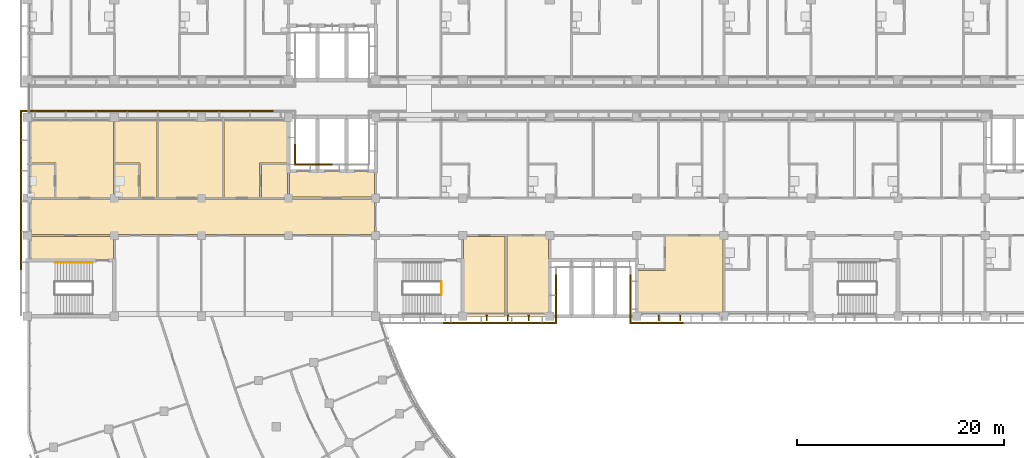
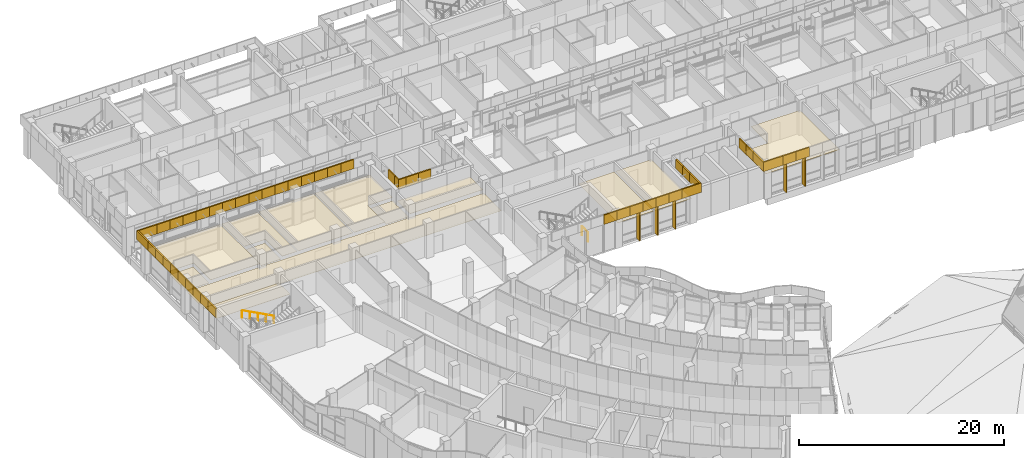
# One storey, part 124 of 137: 60 coverings, 5 shading devices, 2 railings.
"""IFC4 building model written with IfcOpenShell, lengths in metres."""

import ifcopenshell
import ifcopenshell.guid

model = None  # the IFC model being written
_history = None  # IfcOwnerHistory: only IFC2X3 demands one
_inside = {}  # id of a spatial element -> (the spatial element, [elements in it])
_under = {}  # id of a project, library or spatial element -> (it, [spatial elements below it])
_declared = {}  # id of a project -> (the project, [libraries it declares])
_typed = {}  # id of a type object -> (the type object, [elements of that type])
_made_of = {}  # id of a material, layer set ... -> (it, [elements and type objects made of it])


def new_model(schema):
    """Start an empty IFC model of exactly this schema.

    Asked for "IFC4X3", IfcOpenShell would pick the latest addendum, in which some entities
    have other attributes; the version numbers below select the first issue.
    IFC2X3 requires an IfcOwnerHistory on every rooted entity: one is made here for all.
    """
    global model, _history
    if schema == "IFC4X3":
        model = ifcopenshell.file(schema_version=(4, 3, 0, 0))
    else:
        model = ifcopenshell.file(schema=schema)
    _inside.clear()
    _under.clear()
    _declared.clear()
    _typed.clear()
    _made_of.clear()
    _history = None
    if model.schema == "IFC2X3":
        org = make("IfcOrganization", Name="unknown")
        user = make(
            "IfcPersonAndOrganization",
            ThePerson=make("IfcPerson", FamilyName="unknown"),
            TheOrganization=org,
        )
        app = make(
            "IfcApplication",
            ApplicationDeveloper=org,
            Version="unknown",
            ApplicationFullName="unknown",
            ApplicationIdentifier="unknown",
        )
        _history = make(
            "IfcOwnerHistory",
            OwningUser=user,
            OwningApplication=app,
            ChangeAction="ADDED",
            CreationDate=0,
        )
    return model


def make(cls, **values):
    """One entity of the class cls with the attributes given. An attribute that is None is left unset."""
    return model.create_entity(
        cls, **{name: value for name, value in values.items() if value is not None}
    )


def rooted(cls, **values):
    """An entity with a GlobalId (a new one), such as an element, a storey or a relation."""
    return make(cls, GlobalId=ifcopenshell.guid.new(), OwnerHistory=_history, **values)


def si_unit(unit_type, name, prefix=None):
    """IfcSIUnit, for example si_unit("LENGTHUNIT", "METRE", prefix="MILLI")."""
    return make("IfcSIUnit", UnitType=unit_type, Prefix=prefix, Name=name)


def assignment(units):
    """IfcUnitAssignment: the units of a project."""
    return None if units is None else make("IfcUnitAssignment", Units=units)


def point(xyz):
    """IfcCartesianPoint."""
    return None if xyz is None else make("IfcCartesianPoint", Coordinates=xyz)


def direction(xyz):
    """IfcDirection."""
    return None if xyz is None else make("IfcDirection", DirectionRatios=xyz)


def frame(location, z_axis=None, x_axis=None):
    """IfcAxis2Placement3D, a coordinate frame: its origin and axes. An axis left out is left unset."""
    return make(
        "IfcAxis2Placement3D",
        Location=point(location),
        Axis=direction(z_axis),
        RefDirection=direction(x_axis),
    )


def frame_2d(location, x_axis=None):
    """IfcAxis2Placement2D, a coordinate frame in the plane: its origin and x axis."""
    return make(
        "IfcAxis2Placement2D", Location=point(location), RefDirection=direction(x_axis)
    )


def origin():
    """The frame at (0, 0, 0) with its axes left unset."""
    return frame((0.0, 0.0, 0.0))


def origin_2d():
    """The frame at (0, 0) in the plane with its x axis left unset."""
    return frame_2d((0.0, 0.0))


def place(relative_to, where):
    """IfcLocalPlacement: puts the frame where relative to a parent placement (None: the world)."""
    return make(
        "IfcLocalPlacement", PlacementRelTo=relative_to, RelativePlacement=where
    )


def context(
    kind, dimensions, precision=None, world=None, true_north=None, identifier=None
):
    """IfcGeometricRepresentationContext, for example the 3D "Model" context."""
    return make(
        "IfcGeometricRepresentationContext",
        ContextIdentifier=identifier,
        ContextType=kind,
        CoordinateSpaceDimension=dimensions,
        Precision=precision,
        WorldCoordinateSystem=world,
        TrueNorth=true_north,
    )


def subcontext(parent, identifier, kind, view, scale=None):
    """IfcGeometricRepresentationSubContext, for example "Body" below "Model"."""
    return make(
        "IfcGeometricRepresentationSubContext",
        ContextIdentifier=identifier,
        ContextType=kind,
        ParentContext=parent,
        TargetScale=scale,
        TargetView=view,
    )


def project(units=None, contexts=None):
    """IfcProject with its units and contexts."""
    return rooted(
        "IfcProject",
        Name="project",
        RepresentationContexts=contexts,
        UnitsInContext=assignment(units),
    )


def spatial(cls, under=None, at=None, **own):
    """A site, building, storey or space (cls), placed at a placement, below another one or the project."""
    s = rooted(cls, ObjectPlacement=at, **own)
    if under is not None:
        _under.setdefault(under.id(), (under, []))[1].append(s)
    return s


def polyline(points):
    """IfcPolyline through the points."""
    return make("IfcPolyline", Points=[point(p) for p in points])


def profile(cls, at=None, kind="AREA", **sizes):
    """A parametric profile (cls). Its sizes go by their IFC names, for example OverallWidth=200.0."""
    return make(cls, ProfileType=kind, Position=at, **sizes)


def rectangle(**sizes):
    """IfcRectangleProfileDef."""
    return profile("IfcRectangleProfileDef", **sizes)


def circle(**sizes):
    """IfcCircleProfileDef."""
    return profile("IfcCircleProfileDef", **sizes)


def outline(outer, holes=None, kind="AREA"):
    """IfcArbitraryClosedProfileDef: a profile drawn as a closed curve; with holes, ...WithVoids."""
    if holes is None:
        return make("IfcArbitraryClosedProfileDef", ProfileType=kind, OuterCurve=outer)
    return make(
        "IfcArbitraryProfileDefWithVoids",
        ProfileType=kind,
        OuterCurve=outer,
        InnerCurves=holes,
    )


def extrude(swept, where, along, depth):
    """IfcExtrudedAreaSolid: the profile swept, set in the frame where, extruded along a direction by depth."""
    return make(
        "IfcExtrudedAreaSolid",
        SweptArea=swept,
        Position=where,
        ExtrudedDirection=direction(along),
        Depth=depth,
    )


def shape(context_of_items, identifier, shape_type, items):
    """IfcShapeRepresentation: the items that make up one representation, for example the "Body"."""
    return make(
        "IfcShapeRepresentation",
        ContextOfItems=context_of_items,
        RepresentationIdentifier=identifier,
        RepresentationType=shape_type,
        Items=items,
    )


def material(Name=None, Category=None):
    """IfcMaterial."""
    return make("IfcMaterial", Name=Name, Category=Category)


def layer(
    of_material, thickness, ventilated=None, Name=None, Category=None, Priority=None
):
    """IfcMaterialLayer: one layer of a wall or slab, of a material (None: an air gap)."""
    return make(
        "IfcMaterialLayer",
        Material=of_material,
        LayerThickness=thickness,
        IsVentilated=ventilated,
        Name=Name,
        Category=Category,
        Priority=Priority,
    )


def layer_set(layers, Name=None):
    """IfcMaterialLayerSet."""
    return make("IfcMaterialLayerSet", MaterialLayers=layers, LayerSetName=Name)


def material_profile(
    of_material, cross_section, Name=None, Category=None, Priority=None
):
    """IfcMaterialProfile: a cross section and its material."""
    return make(
        "IfcMaterialProfile",
        Name=Name,
        Material=of_material,
        Profile=cross_section,
        Priority=Priority,
        Category=Category,
    )


def profile_set(profiles, Name=None, composite=None):
    """IfcMaterialProfileSet."""
    return make(
        "IfcMaterialProfileSet",
        Name=Name,
        MaterialProfiles=profiles,
        CompositeProfile=composite,
    )


def made_of(thing, what):
    """Note that an element or type object is made of a material, layer set ...; save() writes the relation."""
    if what is not None:
        _made_of.setdefault(what.id(), (what, []))[1].append(thing)
    return thing


def type_object(cls, material=None, **own):
    """A type object (cls), such as IfcWallType, which elements share."""
    return made_of(rooted(cls, **own), material)


def element(
    cls,
    number,
    at=None,
    inside=None,
    cuts=None,
    type_object=None,
    material=None,
    context=None,
    identifier="Body",
    shape_type=None,
    held_by="IfcProductDefinitionShape",
    body=None,
    shapes=None,
    **own,
):
    """One element of the class cls, such as IfcWall. Its Tag is "e" and its number.

    at: its placement. inside: the storey or other place that contains it. cuts: it is an
    opening in that element (IfcRelVoidsElement). A single representation is given by context,
    identifier, shape_type and body (its items); several are given by shapes. held_by: the class
    of the entity that holds the representations. save() writes the other relations.
    """
    e = rooted(cls, Tag="e%d" % number, ObjectPlacement=at, **own)
    if body is not None:
        shapes = [shape(context, identifier, shape_type, body)]
    if shapes is not None:
        e.Representation = make(held_by, Representations=shapes)
    if inside is not None:
        _inside.setdefault(inside.id(), (inside, []))[1].append(e)
    if cuts is not None:
        rooted(
            "IfcRelVoidsElement", RelatingBuildingElement=cuts, RelatedOpeningElement=e
        )
    if type_object is not None:
        _typed.setdefault(type_object.id(), (type_object, []))[1].append(e)
    return made_of(e, material)


def aggregate(whole, parts):
    """IfcRelAggregates: a whole, such as a stair, and the parts it consists of."""
    return rooted("IfcRelAggregates", RelatingObject=whole, RelatedObjects=parts)


def save(model, path):
    """Write the relations noted so far, then the file.

    IfcRelAggregates (storeys below a building ...), IfcRelContainedInSpatialStructure (elements
    in a storey), IfcRelDefinesByType, IfcRelAssociatesMaterial and IfcRelDeclares: one each for
    every whole, place, type object, material and project.
    """
    for whole, parts in _under.values():
        aggregate(whole, parts)
    for where, things in _inside.values():
        rooted(
            "IfcRelContainedInSpatialStructure",
            RelatedElements=things,
            RelatingStructure=where,
        )
    for kind, things in _typed.values():
        rooted("IfcRelDefinesByType", RelatedObjects=things, RelatingType=kind)
    for what, things in _made_of.values():
        rooted("IfcRelAssociatesMaterial", RelatedObjects=things, RelatingMaterial=what)
    for by, libraries in _declared.values():
        rooted("IfcRelDeclares", RelatingContext=by, RelatedDefinitions=libraries)
    model.write(path)


model = new_model("IFC4")

# Units and contexts
model_context = context("Model", 3, precision=1e-05, world=origin(), true_north=direction((0.0, 1.0)))
body_context = subcontext(model_context, "Body", "Model", "MODEL_VIEW")
ifc_project = project(units=[si_unit("LENGTHUNIT", "METRE"), si_unit("AREAUNIT", "SQUARE_METRE"), si_unit("VOLUMEUNIT", "CUBIC_METRE"), si_unit("PLANEANGLEUNIT", "RADIAN"), si_unit("MASSUNIT", "GRAM", prefix="KILO")], contexts=[model_context])

# Site, building, storey
site_placement = place(None, origin())
site = spatial("IfcSite", under=ifc_project, at=site_placement, CompositionType="ELEMENT")
building_placement = place(site_placement, origin())
building = spatial("IfcBuilding", under=site, at=building_placement, Name="Bougainvillea Quay General Hospital", CompositionType="ELEMENT")
storey_placement = place(building_placement, frame((0.0, 0.0, 16.800048828125)))
storey = spatial("IfcBuildingStorey", under=building, at=storey_placement, Name="L03", CompositionType="ELEMENT", Elevation=16.800048828125)

# Coverings
ifc_material_1 = material(Name="Powder-coated aluminium fascia, white", Category="aluminium")
ifc_layer_1 = layer(ifc_material_1, 0.14990234375)
ifc_layer_set_1 = layer_set([ifc_layer_1], Name="Powder-coated aluminium fascia, white")
covering_type_1 = type_object("IfcCoveringType", Name="Aluminium fascia band white 150x1100", PredefinedType="CLADDING", material=ifc_layer_set_1)
for number, where, z_axis, x_axis, name in (
    (1, (71.39990234375, 132.14990234375, 3.64990234375), (0.0, 0.0, 1.0), (-1.0, 0.0, 0.0), "Fascia band white e0 10"),
    (2, (70.0, 132.14990234375, 3.64990234375), (0.0, 0.0, 1.0), (-1.0, 0.0, 0.0), "Fascia band white e0 11"),
):
    element("IfcCovering", number, at=place(storey_placement, frame(where, z_axis=z_axis, x_axis=x_axis)), inside=storey, type_object=covering_type_1, Name=name, PredefinedType="CLADDING", context=body_context, shape_type="SweptSolid", body=[
        extrude(outline(polyline([(0.0, 0.0), (1.39990234375, 0.0), (1.39990234375, -0.150146484375), (0.0, -0.150146484375), (0.0, 0.0)])), origin(), (0.0, 0.0, 1.0), 1.10009765625),
    ])
covering_1_placement = place(storey_placement, frame((68.60009765625, 132.14990234375, 3.64990234375), z_axis=(0.0, 0.0, 1.0), x_axis=(-1.0, 0.0, 0.0)))
element("IfcCovering", 3, at=covering_1_placement, inside=storey, type_object=covering_type_1, Name="Fascia band white e0 12", PredefinedType="CLADDING", context=body_context, shape_type="SweptSolid", body=[
    extrude(outline(polyline([(0.0, 0.0), (0.85009765625, 0.0), (0.7001953125, -0.150146484375), (0.0, -0.150146484375), (0.0, 0.0)])), origin(), (0.0, 0.0, 1.0), 1.10009765625),
])
covering_2_placement = place(storey_placement, frame((67.75, 132.14990234375, 3.64990234375), z_axis=(0.0, 0.0, 1.0), x_axis=(0.0, 1.0, 0.0)))
element("IfcCovering", 4, at=covering_2_placement, inside=storey, type_object=covering_type_1, Name="Fascia band white e0 13", PredefinedType="CLADDING", context=body_context, shape_type="SweptSolid", body=[
    extrude(outline(polyline([(0.0, 0.0), (0.75, 0.0), (0.75, -0.14990234375), (0.150146484375, -0.14990234375), (0.0, 0.0)])), origin(), (0.0, 0.0, 1.0), 1.10009765625),
])
covering_3_placement = place(storey_placement, frame((67.75, 132.89990234375, 3.64990234375), z_axis=(0.0, 0.0, 1.0), x_axis=(0.0, 1.0, 0.0)))
element("IfcCovering", 5, at=covering_3_placement, inside=storey, type_object=covering_type_1, Name="Fascia band white e0 14", PredefinedType="CLADDING", context=body_context, shape_type="SweptSolid", body=[
    extrude(outline(polyline([(0.0, 0.0), (1.300048828125, 0.0), (1.300048828125, -0.14990234375), (0.0, -0.14990234375), (0.0, 0.0)])), origin(), (0.0, 0.0, 1.0), 1.10009765625),
])
covering_4_placement = place(storey_placement, frame((65.717529296875, 137.35009765625, 3.64990234375), z_axis=(0.0, 0.0, 1.0), x_axis=(-1.0, 0.0, 0.0)))
element("IfcCovering", 6, at=covering_4_placement, inside=storey, type_object=covering_type_1, Name="Fascia band white e0 18", PredefinedType="CLADDING", context=body_context, shape_type="SweptSolid", body=[
    extrude(outline(polyline([(0.0, 0.0), (1.482177734375, 0.0), (1.482177734375, -0.14990234375), (0.0, -0.14990234375), (0.0, 0.0)])), origin(), (0.0, 0.0, 1.0), 1.10009765625),
])
for number, where, z_axis, x_axis, name in (
    (7, (64.2353515625, 137.35009765625, 3.64990234375), (0.0, 0.0, 1.0), (-1.0, 0.0, 0.0), "Fascia band white e0 19"),
    (8, (62.7529296875, 137.35009765625, 3.64990234375), (0.0, 0.0, 1.0), (-1.0, 0.0, 0.0), "Fascia band white e0 20"),
):
    element("IfcCovering", number, at=place(storey_placement, frame(where, z_axis=z_axis, x_axis=x_axis)), inside=storey, type_object=covering_type_1, Name=name, PredefinedType="CLADDING", context=body_context, shape_type="SweptSolid", body=[
        extrude(outline(polyline([(0.0, 0.0), (1.482421875, 0.0), (1.482421875, -0.14990234375), (0.0, -0.14990234375), (0.0, 0.0)])), origin(), (0.0, 0.0, 1.0), 1.10009765625),
    ])
covering_5_placement = place(storey_placement, frame((61.2705078125, 137.35009765625, 3.64990234375), z_axis=(0.0, 0.0, 1.0), x_axis=(-1.0, 0.0, 0.0)))
element("IfcCovering", 9, at=covering_5_placement, inside=storey, type_object=covering_type_1, Name="Fascia band white e0 21", PredefinedType="CLADDING", context=body_context, shape_type="SweptSolid", body=[
    extrude(outline(polyline([(0.0, 0.0), (1.482177734375, 0.0), (1.482177734375, -0.14990234375), (0.0, -0.14990234375), (0.0, 0.0)])), origin(), (0.0, 0.0, 1.0), 1.10009765625),
])
for number, where, z_axis, x_axis, name in (
    (10, (59.788330078125, 137.35009765625, 3.64990234375), (0.0, 0.0, 1.0), (-1.0, 0.0, 0.0), "Fascia band white e0 22"),
    (11, (58.305908203125, 137.35009765625, 3.64990234375), (0.0, 0.0, 1.0), (-1.0, 0.0, 0.0), "Fascia band white e0 23"),
    (12, (56.823486328125, 137.35009765625, 3.64990234375), (0.0, 0.0, 1.0), (-1.0, 0.0, 0.0), "Fascia band white e0 24"),
):
    element("IfcCovering", number, at=place(storey_placement, frame(where, z_axis=z_axis, x_axis=x_axis)), inside=storey, type_object=covering_type_1, Name=name, PredefinedType="CLADDING", context=body_context, shape_type="SweptSolid", body=[
        extrude(outline(polyline([(0.0, 0.0), (1.482421875, 0.0), (1.482421875, -0.14990234375), (0.0, -0.14990234375), (0.0, 0.0)])), origin(), (0.0, 0.0, 1.0), 1.10009765625),
    ])
covering_6_placement = place(storey_placement, frame((55.341064453125, 137.35009765625, 3.64990234375), z_axis=(0.0, 0.0, 1.0), x_axis=(-1.0, 0.0, 0.0)))
element("IfcCovering", 13, at=covering_6_placement, inside=storey, type_object=covering_type_1, Name="Fascia band white e0 25", PredefinedType="CLADDING", context=body_context, shape_type="SweptSolid", body=[
    extrude(outline(polyline([(0.0, 0.0), (1.482177734375, 0.0), (1.482177734375, -0.14990234375), (0.0, -0.14990234375), (0.0, 0.0)])), origin(), (0.0, 0.0, 1.0), 1.10009765625),
])
for number, where, z_axis, x_axis, name in (
    (14, (53.85888671875, 137.35009765625, 3.64990234375), (0.0, 0.0, 1.0), (-1.0, 0.0, 0.0), "Fascia band white e0 26"),
    (15, (52.37646484375, 137.35009765625, 3.64990234375), (0.0, 0.0, 1.0), (-1.0, 0.0, 0.0), "Fascia band white e0 27"),
):
    element("IfcCovering", number, at=place(storey_placement, frame(where, z_axis=z_axis, x_axis=x_axis)), inside=storey, type_object=covering_type_1, Name=name, PredefinedType="CLADDING", context=body_context, shape_type="SweptSolid", body=[
        extrude(outline(polyline([(0.0, 0.0), (1.482421875, 0.0), (1.482421875, -0.14990234375), (0.0, -0.14990234375), (0.0, 0.0)])), origin(), (0.0, 0.0, 1.0), 1.10009765625),
    ])
covering_7_placement = place(storey_placement, frame((50.89404296875, 137.35009765625, 3.64990234375), z_axis=(0.0, 0.0, 1.0), x_axis=(-1.0, 0.0, 0.0)))
element("IfcCovering", 16, at=covering_7_placement, inside=storey, type_object=covering_type_1, Name="Fascia band white e0 28", PredefinedType="CLADDING", context=body_context, shape_type="SweptSolid", body=[
    extrude(outline(polyline([(0.0, 0.0), (1.482177734375, 0.0), (1.482177734375, -0.14990234375), (0.0, -0.14990234375), (0.0, 0.0)])), origin(), (0.0, 0.0, 1.0), 1.10009765625),
])
for number, where, z_axis, x_axis, name in (
    (17, (49.411865234375, 137.35009765625, 3.64990234375), (0.0, 0.0, 1.0), (-1.0, 0.0, 0.0), "Fascia band white e0 29"),
    (18, (47.929443359375, 137.35009765625, 3.64990234375), (0.0, 0.0, 1.0), (-1.0, 0.0, 0.0), "Fascia band white e0 30"),
    (19, (46.447021484375, 137.35009765625, 3.64990234375), (0.0, 0.0, 1.0), (-1.0, 0.0, 0.0), "Fascia band white e0 31"),
):
    element("IfcCovering", number, at=place(storey_placement, frame(where, z_axis=z_axis, x_axis=x_axis)), inside=storey, type_object=covering_type_1, Name=name, PredefinedType="CLADDING", context=body_context, shape_type="SweptSolid", body=[
        extrude(outline(polyline([(0.0, 0.0), (1.482421875, 0.0), (1.482421875, -0.14990234375), (0.0, -0.14990234375), (0.0, 0.0)])), origin(), (0.0, 0.0, 1.0), 1.10009765625),
    ])
covering_8_placement = place(storey_placement, frame((44.964599609375, 137.35009765625, 3.64990234375), z_axis=(0.0, 0.0, 1.0), x_axis=(-1.0, 0.0, 0.0)))
element("IfcCovering", 20, at=covering_8_placement, inside=storey, type_object=covering_type_1, Name="Fascia band white e0 32", PredefinedType="CLADDING", context=body_context, shape_type="SweptSolid", body=[
    extrude(outline(polyline([(0.0, 0.0), (1.482177734375, 0.0), (1.482177734375, -0.14990234375), (0.0, -0.14990234375), (0.0, 0.0)])), origin(), (0.0, 0.0, 1.0), 1.10009765625),
])
covering_9_placement = place(storey_placement, frame((43.482421875, 137.35009765625, 3.64990234375), z_axis=(0.0, 0.0, 1.0), x_axis=(-1.0, 0.0, 0.0)))
element("IfcCovering", 21, at=covering_9_placement, inside=storey, type_object=covering_type_1, Name="Fascia band white e0 33", PredefinedType="CLADDING", context=body_context, shape_type="SweptSolid", body=[
    extrude(outline(polyline([(0.0, 0.0), (2.032470703125, 0.0), (2.182373046875, -0.14990234375), (0.0, -0.14990234375), (0.0, 0.0)])), origin(), (0.0, 0.0, 1.0), 1.10009765625),
])
covering_10_placement = place(storey_placement, frame((41.449951171875, 137.35009765625, 3.64990234375), z_axis=(0.0, 0.0, 1.0), x_axis=(0.0, -1.0, 0.0)))
element("IfcCovering", 22, at=covering_10_placement, inside=storey, type_object=covering_type_1, Name="Fascia band white e0 34", PredefinedType="CLADDING", context=body_context, shape_type="SweptSolid", body=[
    extrude(outline(polyline([(0.0, 0.0), (2.0224609375, 0.0), (2.0224609375, -0.14990234375), (-0.14990234375, -0.14990234375), (0.0, 0.0)])), origin(), (0.0, 0.0, 1.0), 1.10009765625),
])
covering_11_placement = place(storey_placement, frame((41.449951171875, 135.32763671875, 3.64990234375), z_axis=(0.0, 0.0, 1.0), x_axis=(0.0, -1.0, 0.0)))
element("IfcCovering", 23, at=covering_11_placement, inside=storey, type_object=covering_type_1, Name="Fascia band white e0 35", PredefinedType="CLADDING", context=body_context, shape_type="SweptSolid", body=[
    extrude(outline(polyline([(0.0, 0.0), (1.47216796875, 0.0), (1.47216796875, -0.14990234375), (0.0, -0.14990234375), (0.0, 0.0)])), origin(), (0.0, 0.0, 1.0), 1.10009765625),
])
covering_12_placement = place(storey_placement, frame((41.449951171875, 133.85546875, 3.64990234375), z_axis=(0.0, 0.0, 1.0), x_axis=(0.0, -1.0, 0.0)))
element("IfcCovering", 24, at=covering_12_placement, inside=storey, type_object=covering_type_1, Name="Fascia band white e0 36", PredefinedType="CLADDING", context=body_context, shape_type="SweptSolid", body=[
    extrude(outline(polyline([(0.0, 0.0), (1.472412109375, 0.0), (1.472412109375, -0.14990234375), (0.0, -0.14990234375), (0.0, 0.0)])), origin(), (0.0, 0.0, 1.0), 1.10009765625),
])
covering_13_placement = place(storey_placement, frame((41.449951171875, 132.383056640625, 3.64990234375), z_axis=(0.0, 0.0, 1.0), x_axis=(0.0, -1.0, 0.0)))
element("IfcCovering", 25, at=covering_13_placement, inside=storey, type_object=covering_type_1, Name="Fascia band white e0 37", PredefinedType="CLADDING", context=body_context, shape_type="SweptSolid", body=[
    extrude(outline(polyline([(0.0, 0.0), (1.47216796875, 0.0), (1.47216796875, -0.14990234375), (0.0, -0.14990234375), (0.0, 0.0)])), origin(), (0.0, 0.0, 1.0), 1.10009765625),
])
for number, where, z_axis, x_axis, name in (
    (26, (41.449951171875, 130.910888671875, 3.64990234375), (0.0, 0.0, 1.0), (0.0, -1.0, 0.0), "Fascia band white e0 38"),
    (27, (41.449951171875, 129.4384765625, 3.64990234375), (0.0, 0.0, 1.0), (0.0, -1.0, 0.0), "Fascia band white e0 39"),
):
    element("IfcCovering", number, at=place(storey_placement, frame(where, z_axis=z_axis, x_axis=x_axis)), inside=storey, type_object=covering_type_1, Name=name, PredefinedType="CLADDING", context=body_context, shape_type="SweptSolid", body=[
        extrude(outline(polyline([(0.0, 0.0), (1.472412109375, 0.0), (1.472412109375, -0.14990234375), (0.0, -0.14990234375), (0.0, 0.0)])), origin(), (0.0, 0.0, 1.0), 1.10009765625),
    ])
covering_14_placement = place(storey_placement, frame((41.449951171875, 127.966064453125, 3.64990234375), z_axis=(0.0, 0.0, 1.0), x_axis=(0.0, -1.0, 0.0)))
element("IfcCovering", 28, at=covering_14_placement, inside=storey, type_object=covering_type_1, Name="Fascia band white e0 40", PredefinedType="CLADDING", context=body_context, shape_type="SweptSolid", body=[
    extrude(outline(polyline([(0.0, 0.0), (1.47216796875, 0.0), (1.47216796875, -0.14990234375), (0.0, -0.14990234375), (0.0, 0.0)])), origin(), (0.0, 0.0, 1.0), 1.10009765625),
])
covering_15_placement = place(storey_placement, frame((41.449951171875, 126.493896484375, 3.64990234375), z_axis=(0.0, 0.0, 1.0), x_axis=(0.0, -1.0, 0.0)))
element("IfcCovering", 29, at=covering_15_placement, inside=storey, type_object=covering_type_1, Name="Fascia band white e0 41", PredefinedType="CLADDING", context=body_context, shape_type="SweptSolid", body=[
    extrude(outline(polyline([(0.0, 0.0), (1.472412109375, 0.0), (1.472412109375, -0.14990234375), (0.0, -0.14990234375), (0.0, 0.0)])), origin(), (0.0, 0.0, 1.0), 1.10009765625),
])
covering_16_placement = place(storey_placement, frame((41.449951171875, 125.021484375, 3.64990234375), z_axis=(0.0, 0.0, 1.0), x_axis=(0.0, -1.0, 0.0)))
element("IfcCovering", 30, at=covering_16_placement, inside=storey, type_object=covering_type_1, Name="Fascia band white e0 42", PredefinedType="CLADDING", context=body_context, shape_type="SweptSolid", body=[
    extrude(outline(polyline([(0.0, 0.0), (1.47216796875, 0.0), (1.47216796875, -0.14990234375), (0.0, -0.14990234375), (0.0, 0.0)])), origin(), (0.0, 0.0, 1.0), 1.10009765625),
])
covering_17_placement = place(storey_placement, frame((41.449951171875, 123.54931640625, 3.64990234375), z_axis=(0.0, 0.0, 1.0), x_axis=(0.0, -1.0, 0.0)))
element("IfcCovering", 31, at=covering_17_placement, inside=storey, type_object=covering_type_1, Name="Fascia band white e0 43", PredefinedType="CLADDING", context=body_context, shape_type="SweptSolid", body=[
    extrude(outline(polyline([(0.0, 0.0), (1.472412109375, 0.0), (1.472412109375, -0.14990234375), (0.0, -0.14990234375), (0.0, 0.0)])), origin(), (0.0, 0.0, 1.0), 1.10009765625),
])
covering_18_placement = place(storey_placement, frame((82.1181640625, 117.050048828125, 3.64990234375), z_axis=(0.0, 0.0, 1.0), x_axis=(1.0, 0.0, 0.0)))
element("IfcCovering", 32, at=covering_18_placement, inside=storey, type_object=covering_type_1, Name="Fascia band white e1 5", PredefinedType="CLADDING", context=body_context, shape_type="SweptSolid", body=[
    extrude(outline(polyline([(0.0, 0.0), (1.468994140625, 0.0), (1.468994140625, -0.150146484375), (0.0, -0.150146484375), (0.0, 0.0)])), origin(), (0.0, 0.0, 1.0), 1.10009765625),
])
for number, where, z_axis, x_axis, name in (
    (33, (83.587158203125, 117.050048828125, 3.64990234375), (0.0, 0.0, 1.0), (1.0, 0.0, 0.0), "Fascia band white e1 6"),
    (34, (85.055908203125, 117.050048828125, 3.64990234375), (0.0, 0.0, 1.0), (1.0, 0.0, 0.0), "Fascia band white e1 7"),
):
    element("IfcCovering", number, at=place(storey_placement, frame(where, z_axis=z_axis, x_axis=x_axis)), inside=storey, type_object=covering_type_1, Name=name, PredefinedType="CLADDING", context=body_context, shape_type="SweptSolid", body=[
        extrude(outline(polyline([(0.0, 0.0), (1.46875, 0.0), (1.46875, -0.150146484375), (0.0, -0.150146484375), (0.0, 0.0)])), origin(), (0.0, 0.0, 1.0), 1.10009765625),
    ])
covering_19_placement = place(storey_placement, frame((86.524658203125, 117.050048828125, 3.64990234375), z_axis=(0.0, 0.0, 1.0), x_axis=(1.0, 0.0, 0.0)))
element("IfcCovering", 35, at=covering_19_placement, inside=storey, type_object=covering_type_1, Name="Fascia band white e1 8", PredefinedType="CLADDING", context=body_context, shape_type="SweptSolid", body=[
    extrude(outline(polyline([(0.0, 0.0), (1.468994140625, 0.0), (1.468994140625, -0.150146484375), (0.0, -0.150146484375), (0.0, 0.0)])), origin(), (0.0, 0.0, 1.0), 1.10009765625),
])
for number, where, z_axis, x_axis, name in (
    (36, (87.99365234375, 117.050048828125, 3.64990234375), (0.0, 0.0, 1.0), (1.0, 0.0, 0.0), "Fascia band white e1 9"),
    (37, (89.46240234375, 117.050048828125, 3.64990234375), (0.0, 0.0, 1.0), (1.0, 0.0, 0.0), "Fascia band white e1 10"),
):
    element("IfcCovering", number, at=place(storey_placement, frame(where, z_axis=z_axis, x_axis=x_axis)), inside=storey, type_object=covering_type_1, Name=name, PredefinedType="CLADDING", context=body_context, shape_type="SweptSolid", body=[
        extrude(outline(polyline([(0.0, 0.0), (1.46875, 0.0), (1.46875, -0.150146484375), (0.0, -0.150146484375), (0.0, 0.0)])), origin(), (0.0, 0.0, 1.0), 1.10009765625),
    ])
covering_20_placement = place(storey_placement, frame((90.93115234375, 117.050048828125, 3.64990234375), z_axis=(0.0, 0.0, 1.0), x_axis=(1.0, 0.0, 0.0)))
element("IfcCovering", 38, at=covering_20_placement, inside=storey, type_object=covering_type_1, Name="Fascia band white e1 11", PredefinedType="CLADDING", context=body_context, shape_type="SweptSolid", body=[
    extrude(outline(polyline([(0.0, 0.0), (2.018798828125, 0.0), (2.1689453125, -0.150146484375), (0.0, -0.150146484375), (0.0, 0.0)])), origin(), (0.0, 0.0, 1.0), 1.10009765625),
])
covering_21_placement = place(storey_placement, frame((92.949951171875, 117.050048828125, 3.64990234375), z_axis=(0.0, 0.0, 1.0), x_axis=(0.0, 1.0, 0.0)))
element("IfcCovering", 39, at=covering_21_placement, inside=storey, type_object=covering_type_1, Name="Fascia band white e1 12", PredefinedType="CLADDING", context=body_context, shape_type="SweptSolid", body=[
    extrude(outline(polyline([(0.0, 0.0), (1.89990234375, 0.0), (1.89990234375, -0.150146484375), (-0.150146484375, -0.150146484375), (0.0, 0.0)])), origin(), (0.0, 0.0, 1.0), 1.10009765625),
])
covering_22_placement = place(storey_placement, frame((92.949951171875, 118.949951171875, 3.64990234375), z_axis=(0.0, 0.0, 1.0), x_axis=(0.0, 1.0, 0.0)))
element("IfcCovering", 40, at=covering_22_placement, inside=storey, type_object=covering_type_1, Name="Fascia band white e1 13", PredefinedType="CLADDING", context=body_context, shape_type="SweptSolid", body=[
    extrude(outline(polyline([(0.0, 0.0), (1.35009765625, 0.0), (1.35009765625, -0.150146484375), (0.0, -0.150146484375), (0.0, 0.0)])), origin(), (0.0, 0.0, 1.0), 1.10009765625),
])
covering_23_placement = place(storey_placement, frame((92.949951171875, 120.300048828125, 3.64990234375), z_axis=(0.0, 0.0, 1.0), x_axis=(0.0, 1.0, 0.0)))
element("IfcCovering", 41, at=covering_23_placement, inside=storey, type_object=covering_type_1, Name="Fascia band white e1 14", PredefinedType="CLADDING", context=body_context, shape_type="SweptSolid", body=[
    extrude(outline(polyline([(0.0, 0.0), (1.349853515625, 0.0), (1.349853515625, -0.150146484375), (0.0, -0.150146484375), (0.0, 0.0)])), origin(), (0.0, 0.0, 1.0), 1.10009765625),
])
covering_24_placement = place(storey_placement, frame((100.25, 121.64990234375, 3.64990234375), z_axis=(0.0, 0.0, 1.0), x_axis=(0.0, -1.0, 0.0)))
element("IfcCovering", 42, at=covering_24_placement, inside=storey, type_object=covering_type_1, Name="Fascia band white e1 23", PredefinedType="CLADDING", context=body_context, shape_type="SweptSolid", body=[
    extrude(outline(polyline([(0.0, 0.0), (1.349853515625, 0.0), (1.349853515625, -0.14990234375), (0.0, -0.14990234375), (0.0, 0.0)])), origin(), (0.0, 0.0, 1.0), 1.10009765625),
])
covering_25_placement = place(storey_placement, frame((100.25, 120.300048828125, 3.64990234375), z_axis=(0.0, 0.0, 1.0), x_axis=(0.0, -1.0, 0.0)))
element("IfcCovering", 43, at=covering_25_placement, inside=storey, type_object=covering_type_1, Name="Fascia band white e1 24", PredefinedType="CLADDING", context=body_context, shape_type="SweptSolid", body=[
    extrude(outline(polyline([(0.0, 0.0), (1.35009765625, 0.0), (1.35009765625, -0.14990234375), (0.0, -0.14990234375), (0.0, 0.0)])), origin(), (0.0, 0.0, 1.0), 1.10009765625),
])
covering_26_placement = place(storey_placement, frame((100.25, 118.949951171875, 3.64990234375), z_axis=(0.0, 0.0, 1.0), x_axis=(0.0, -1.0, 0.0)))
element("IfcCovering", 44, at=covering_26_placement, inside=storey, type_object=covering_type_1, Name="Fascia band white e1 25", PredefinedType="CLADDING", context=body_context, shape_type="SweptSolid", body=[
    extrude(outline(polyline([(0.0, 0.0), (1.89990234375, 0.0), (2.050048828125, -0.14990234375), (0.0, -0.14990234375), (0.0, 0.0)])), origin(), (0.0, 0.0, 1.0), 1.10009765625),
])
covering_27_placement = place(storey_placement, frame((100.25, 117.050048828125, 3.64990234375), z_axis=(0.0, 0.0, 1.0), x_axis=(1.0, 0.0, 0.0)))
element("IfcCovering", 45, at=covering_27_placement, inside=storey, type_object=covering_type_1, Name="Fascia band white e1 26", PredefinedType="CLADDING", context=body_context, shape_type="SweptSolid", body=[
    extrude(outline(polyline([(0.0, 0.0), (2.043212890625, 0.0), (2.043212890625, -0.150146484375), (-0.14990234375, -0.150146484375), (0.0, 0.0)])), origin(), (0.0, 0.0, 1.0), 1.10009765625),
])
for number, where, z_axis, x_axis, name in (
    (46, (102.293212890625, 117.050048828125, 3.64990234375), (0.0, 0.0, 1.0), (1.0, 0.0, 0.0), "Fascia band white e1 27"),
    (47, (103.78662109375, 117.050048828125, 3.64990234375), (0.0, 0.0, 1.0), (1.0, 0.0, 0.0), "Fascia band white e1 28"),
):
    element("IfcCovering", number, at=place(storey_placement, frame(where, z_axis=z_axis, x_axis=x_axis)), inside=storey, type_object=covering_type_1, Name=name, PredefinedType="CLADDING", context=body_context, shape_type="SweptSolid", body=[
        extrude(outline(polyline([(0.0, 0.0), (1.493408203125, 0.0), (1.493408203125, -0.150146484375), (0.0, -0.150146484375), (0.0, 0.0)])), origin(), (0.0, 0.0, 1.0), 1.10009765625),
    ])

# Railings
ifc_material_2 = material(Name="Stainless steel 304 balustrade", Category="steel")
railing_type_1 = type_object("IfcRailingType", Name="Stair guard 1100", PredefinedType="GUARDRAIL", material=ifc_material_2)
railing_1_placement = place(storey_placement, frame((81.949951171875, 120.89990234375, 0.0)))
element("IfcRailing", 48, at=railing_1_placement, inside=storey, type_object=railing_type_1, Name="L03 ST-B2 stair guard 4", PredefinedType="GUARDRAIL", context=body_context, shape_type="SweptSolid", body=[
    extrude(circle(Radius=0.02392578125, at=origin_2d()), frame((0.0, 0.0, 1.076171875), z_axis=(0.0, -1.0, 0.0), x_axis=(1.0, 0.0, 0.0)), (0.0, 0.0, 1.0), 1.199951171875),
    extrude(circle(Radius=0.02099609375, at=origin_2d()), origin(), (0.0, 0.0, 1.0), 1.052001953125),
    extrude(circle(Radius=0.02099609375, at=origin_2d()), frame((0.0, -1.199951171875, 0.0)), (0.0, 0.0, 1.0), 1.052001953125),
])
ifc_material_3 = material(Name="Stainless steel 304 handrail", Category="steel")
railing_type_2 = type_object("IfcRailingType", Name="Stair handrail 900", PredefinedType="HANDRAIL", material=ifc_material_3)
railing_2_placement = place(storey_placement, frame((48.300048828125, 122.77490234375, 0.14990234375)))
element("IfcRailing", 49, at=railing_2_placement, inside=storey, type_object=railing_type_2, Name="L03 ST-B1 stair handrail 1", PredefinedType="HANDRAIL", context=body_context, shape_type="SweptSolid", body=[
    extrude(circle(Radius=0.02392578125, at=origin_2d()), frame((0.0, 0.0, 0.8759765625), z_axis=(-0.881492274372, 0.0, 0.472198443689), x_axis=(0.0, -1.0, 0.0)), (0.0, 0.0, 1.0), 4.12939453125),
    extrude(circle(Radius=0.02099609375, at=origin_2d()), origin(), (0.0, 0.0, 1.0), 0.851806640625),
    extrude(circle(Radius=0.02099609375, at=origin_2d()), frame((-0.91015625, 0.0, 0.487548828125)), (0.0, 0.0, 1.0), 0.851806640625),
    extrude(circle(Radius=0.02099609375, at=origin_2d()), frame((-1.820068359375, 0.0, 0.97509765625)), (0.0, 0.0, 1.0), 0.851806640625),
    extrude(circle(Radius=0.02099609375, at=origin_2d()), frame((-2.72998046875, 0.0, 1.46240234375)), (0.0, 0.0, 1.0), 0.851806640625),
    extrude(circle(Radius=0.02099609375, at=origin_2d()), frame((-3.64013671875, 0.0, 1.949951171875)), (0.0, 0.0, 1.0), 0.851806640625),
])

# Coverings
ifc_material_4 = material(Name="Mineral fibre ceiling tile")
ifc_layer_2 = layer(ifc_material_4, 0.030029296875)
ifc_layer_set_2 = layer_set([ifc_layer_2], Name="Mineral fibre ceiling tile")
covering_type_2 = type_object("IfcCoveringType", Name="Suspended ceiling mineral fibre tile", PredefinedType="CEILING", material=ifc_layer_set_2)
covering_28_placement = place(storey_placement, frame((0.0, 0.0, 2.699951171875)))
element("IfcCovering", 50, at=covering_28_placement, inside=storey, type_object=covering_type_2, Name="Ceiling Lift Lobby LB-B1 (Fire-fighting)", PredefinedType="CEILING", context=body_context, shape_type="SweptSolid", body=[
    extrude(outline(polyline([(67.300048828125, 131.60009765625), (67.300048828125, 129.10009765625), (75.5, 129.10009765625), (75.5, 131.60009765625), (67.300048828125, 131.60009765625)])), origin(), (0.0, 0.0, 1.0), 0.030029296875),
])
covering_29_placement = place(storey_placement, frame((0.0, 0.0, 2.699951171875)))
element("IfcCovering", 51, at=covering_29_placement, inside=storey, type_object=covering_type_2, Name="Ceiling Refuge Room RR-B2-L03", PredefinedType="CEILING", context=body_context, shape_type="SweptSolid", body=[
    extrude(outline(polyline([(88.10009765625, 117.60009765625), (88.10009765625, 125.300048828125), (84.10009765625, 125.300048828125), (84.10009765625, 117.60009765625), (88.10009765625, 117.60009765625)])), origin(), (0.0, 0.0, 1.0), 0.030029296875),
])
covering_30_placement = place(storey_placement, frame((0.0, 0.0, 2.699951171875)))
element("IfcCovering", 52, at=covering_30_placement, inside=storey, type_object=covering_type_2, Name="Ceiling Smoke-proof Vestibule ST-B1", PredefinedType="CEILING", context=body_context, shape_type="SweptSolid", body=[
    extrude(outline(polyline([(42.0, 123.10009765625), (50.300048828125, 123.10009765625), (50.300048828125, 125.300048828125), (42.0, 125.300048828125), (42.0, 123.10009765625)])), origin(), (0.0, 0.0, 1.0), 0.030029296875),
])
covering_31_placement = place(storey_placement, frame((0.0, 0.0, 2.699951171875)))
element("IfcCovering", 53, at=covering_31_placement, inside=storey, type_object=covering_type_2, Name="Ceiling Four-bed Ward Room 03B01", PredefinedType="CEILING", context=body_context, shape_type="SweptSolid", body=[
    extrude(outline(polyline([(42.0, 136.800048828125), (42.0, 132.375), (44.77490234375, 132.375), (44.77490234375, 129.074951171875), (50.324951171875, 129.074951171875), (50.324951171875, 136.800048828125), (42.0, 136.800048828125)])), origin(), (0.0, 0.0, 1.0), 0.030029296875),
])
covering_32_placement = place(storey_placement, frame((0.0, 0.0, 2.39990234375)))
element("IfcCovering", 54, at=covering_32_placement, inside=storey, type_object=covering_type_2, Name="Ceiling En-suite 03B01", PredefinedType="CEILING", context=body_context, shape_type="SweptSolid", body=[
    extrude(outline(polyline([(42.0, 129.074951171875), (44.625, 129.074951171875), (44.625, 132.22509765625), (42.0, 132.22509765625), (42.0, 129.074951171875)])), origin(), (0.0, 0.0, 1.0), 0.030029296875),
])
covering_33_placement = place(storey_placement, frame((0.0, 0.0, 2.699951171875)))
element("IfcCovering", 55, at=covering_33_placement, inside=storey, type_object=covering_type_2, Name="Ceiling Patient Room 03B02", PredefinedType="CEILING", context=body_context, shape_type="SweptSolid", body=[
    extrude(outline(polyline([(50.47509765625, 136.800048828125), (50.47509765625, 132.375), (52.875, 132.375), (52.875, 129.074951171875), (54.52490234375, 129.074951171875), (54.52490234375, 136.800048828125), (50.47509765625, 136.800048828125)])), origin(), (0.0, 0.0, 1.0), 0.030029296875),
])
covering_34_placement = place(storey_placement, frame((0.0, 0.0, 2.39990234375)))
element("IfcCovering", 56, at=covering_34_placement, inside=storey, type_object=covering_type_2, Name="Ceiling En-suite 03B02", PredefinedType="CEILING", context=body_context, shape_type="SweptSolid", body=[
    extrude(outline(polyline([(52.72509765625, 132.22509765625), (50.47509765625, 132.22509765625), (50.47509765625, 129.074951171875), (52.72509765625, 129.074951171875), (52.72509765625, 132.22509765625)])), origin(), (0.0, 0.0, 1.0), 0.030029296875),
])
covering_35_placement = place(storey_placement, frame((0.0, 0.0, 2.699951171875)))
element("IfcCovering", 57, at=covering_35_placement, inside=storey, type_object=covering_type_2, Name="Ceiling Nurses' Station 03B03", PredefinedType="CEILING", context=body_context, shape_type="SweptSolid", body=[
    extrude(outline(polyline([(54.675048828125, 136.800048828125), (54.675048828125, 129.074951171875), (60.824951171875, 129.074951171875), (60.824951171875, 136.800048828125), (54.675048828125, 136.800048828125)])), origin(), (0.0, 0.0, 1.0), 0.030029296875),
])
covering_36_placement = place(storey_placement, frame((0.0, 0.0, 2.699951171875)))
element("IfcCovering", 58, at=covering_36_placement, inside=storey, type_object=covering_type_2, Name="Ceiling Two-bed Patient Room 03B04", PredefinedType="CEILING", context=body_context, shape_type="SweptSolid", body=[
    extrude(outline(polyline([(60.97509765625, 136.800048828125), (60.97509765625, 129.074951171875), (64.425048828125, 129.074951171875), (64.425048828125, 132.375), (67.199951171875, 132.375), (67.199951171875, 136.800048828125), (60.97509765625, 136.800048828125)])), origin(), (0.0, 0.0, 1.0), 0.030029296875),
])
covering_37_placement = place(storey_placement, frame((0.0, 0.0, 2.39990234375)))
element("IfcCovering", 59, at=covering_37_placement, inside=storey, type_object=covering_type_2, Name="Ceiling En-suite 03B04", PredefinedType="CEILING", context=body_context, shape_type="SweptSolid", body=[
    extrude(outline(polyline([(67.199951171875, 132.22509765625), (64.574951171875, 132.22509765625), (64.574951171875, 129.074951171875), (67.10009765625, 129.074951171875), (67.10009765625, 131.60009765625), (67.199951171875, 131.60009765625), (67.199951171875, 132.22509765625)])), origin(), (0.0, 0.0, 1.0), 0.030029296875),
])
covering_38_placement = place(storey_placement, frame((0.0, 0.0, 2.699951171875)))
element("IfcCovering", 60, at=covering_38_placement, inside=storey, type_object=covering_type_2, Name="Ceiling Treatment and Clean Utility Room 03B15", PredefinedType="CEILING", context=body_context, shape_type="SweptSolid", body=[
    extrude(outline(polyline([(92.39990234375, 123.0), (92.300048828125, 123.0), (92.300048828125, 125.324951171875), (88.300048828125, 125.324951171875), (88.300048828125, 117.60009765625), (92.39990234375, 117.60009765625), (92.39990234375, 123.0)])), origin(), (0.0, 0.0, 1.0), 0.030029296875),
])
covering_39_placement = place(storey_placement, frame((0.0, 0.0, 2.699951171875)))
element("IfcCovering", 61, at=covering_39_placement, inside=storey, type_object=covering_type_2, Name="Ceiling Surgical Ward Room 03B16", PredefinedType="CEILING", context=body_context, shape_type="SweptSolid", body=[
    extrude(outline(polyline([(109.10009765625, 117.60009765625), (109.10009765625, 125.324951171875), (103.574951171875, 125.324951171875), (103.574951171875, 122.02490234375), (100.800048828125, 122.02490234375), (100.800048828125, 117.60009765625), (109.10009765625, 117.60009765625)])), origin(), (0.0, 0.0, 1.0), 0.030029296875),
])
covering_40_placement = place(storey_placement, frame((0.0, 0.0, 2.39990234375)))
element("IfcCovering", 62, at=covering_40_placement, inside=storey, type_object=covering_type_2, Name="Ceiling Ward Corridor B1", PredefinedType="CEILING", context=body_context, shape_type="SweptSolid", body=[
    extrude(outline(polyline([(42.0, 125.5), (54.699951171875, 125.5), (54.699951171875, 125.47509765625), (75.5, 125.47509765625), (75.5, 128.89990234375), (67.10009765625, 128.89990234375), (67.10009765625, 128.925048828125), (42.0, 128.925048828125), (42.0, 125.5)])), origin(), (0.0, 0.0, 1.0), 0.030029296875),
])

# Shading devices
ifc_material_5 = material(Name="Powder-coated aluminium fin, white", Category="aluminium")
ifc_material_profile = material_profile(ifc_material_5, rectangle(XDim=0.550048828125, YDim=0.10009765625, at=origin_2d()))
ifc_profile_set = profile_set([ifc_material_profile], Name="Powder-coated aluminium fin, white")
shading_device_type = type_object("IfcShadingDeviceType", Name="Vertical fin 550x100", PredefinedType="USERDEFINED", material=ifc_profile_set)
for number, where, z_axis, x_axis, name in (
    (63, (90.3798828125, 117.455078125, 0.0), (0.0, 0.0, 1.0), (0.0, -1.0, 0.0), "Vertical fin V5B L03 10.1"),
    (64, (88.361083984375, 117.455078125, 0.0), (0.0, 0.0, 1.0), (0.0, -1.0, 0.0), "Vertical fin V5B L03 10.2"),
    (65, (86.341064453125, 117.455078125, 0.0), (0.0, 0.0, 1.0), (0.0, -1.0, 0.0), "Vertical fin V5B L03 10.3"),
    (66, (105.0, 117.455078125, 0.0), (0.0, 0.0, 1.0), (0.0, -1.0, 0.0), "Vertical fin V5B L03 14.23"),
    (67, (102.89990234375, 117.455078125, 0.0), (0.0, 0.0, 1.0), (0.0, -1.0, 0.0), "Vertical fin V5B L03 14.24"),
):
    element("IfcShadingDevice", number, at=place(storey_placement, frame(where, z_axis=z_axis, x_axis=x_axis)), inside=storey, type_object=shading_device_type, Name=name, ObjectType="Vertical fin", PredefinedType="USERDEFINED", context=body_context, shape_type="SweptSolid", body=[
        extrude(rectangle(XDim=0.550048828125, YDim=0.10009765625, at=origin_2d()), origin(), (0.0, 0.0, 1.0), 3.6298828125),
    ])

save(model, "model.ifc")
